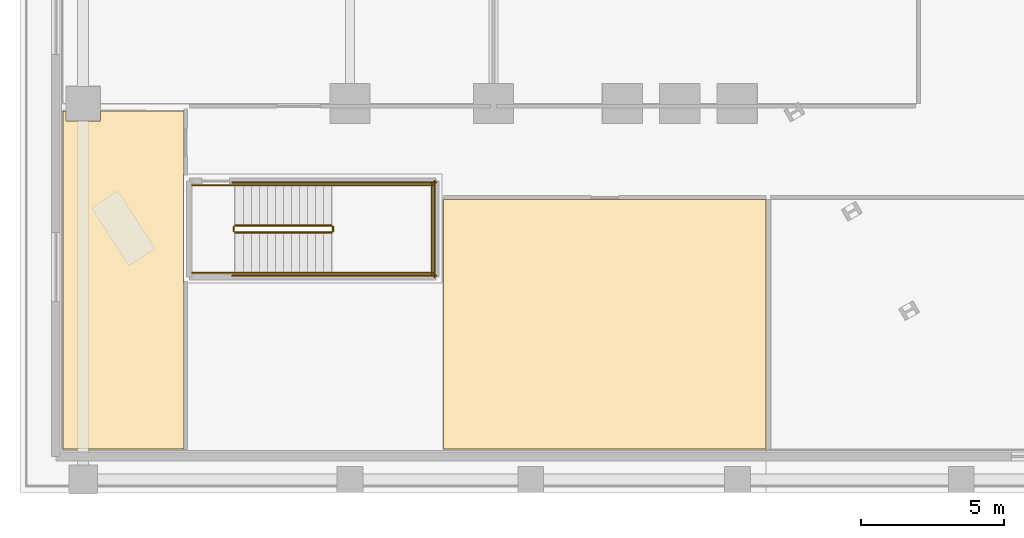
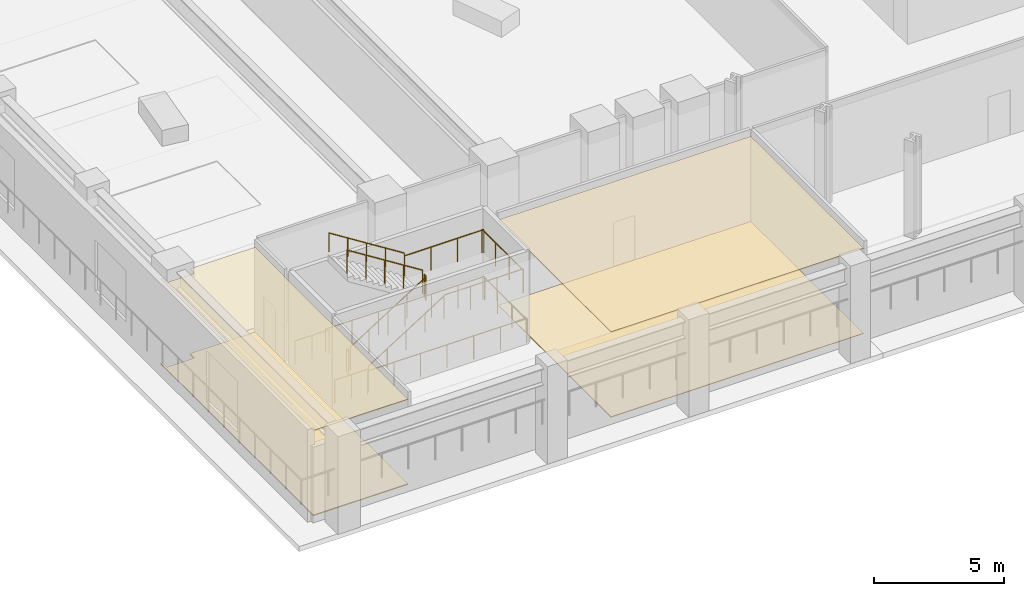
# One storey, part 9 of 18: 14 railings, 4 coverings.
"""IFC4 building model written with IfcOpenShell, lengths in metres."""

from ifc_helpers import new_model, si_unit, direction, frame, origin, origin_2d, place, context, subcontext, project, spatial, polyline, circle, outline, extrude, material, layer, layer_set, type_object, element, save


model = new_model("IFC4")

# Units and contexts
model_context = context("Model", 3, precision=1e-05, world=origin(), true_north=direction((0.0, 1.0)))
body_context = subcontext(model_context, "Body", "Model", "MODEL_VIEW")
ifc_project = project(units=[si_unit("LENGTHUNIT", "METRE"), si_unit("AREAUNIT", "SQUARE_METRE"), si_unit("VOLUMEUNIT", "CUBIC_METRE"), si_unit("PLANEANGLEUNIT", "RADIAN"), si_unit("MASSUNIT", "GRAM", prefix="KILO")], contexts=[model_context])

# Site, building, storey
site_placement = place(None, origin())
site = spatial("IfcSite", under=ifc_project, at=site_placement, CompositionType="ELEMENT")
building_placement = place(site_placement, origin())
building = spatial("IfcBuilding", under=site, at=building_placement, Name="Valkerne Bourse Tower", CompositionType="ELEMENT")
storey_placement = place(building_placement, frame((0.0, 0.0, 10.199951171875)))
storey = spatial("IfcBuildingStorey", under=building, at=storey_placement, Name="L02", CompositionType="ELEMENT", Elevation=10.199951171875)

# Coverings
ifc_material_1 = material(Name="Mineral Fiber Acoustic Ceiling Tile", Category="acoustic")
ifc_layer_1 = layer(ifc_material_1, 0.02490234375)
ifc_layer_set_1 = layer_set([ifc_layer_1], Name="Mineral Fiber Acoustic Ceiling Tile")
covering_type_1 = type_object("IfcCoveringType", Name="COV-CEIL-ACT", PredefinedType="CEILING", material=ifc_layer_set_1)
covering_1_placement = place(storey_placement, frame((0.0, 0.0, 4.010009765625)))
element("IfcCovering", 1, at=covering_1_placement, inside=storey, type_object=covering_type_1, Name="L02 Suspended Ceiling 01", PredefinedType="CEILING", context=body_context, shape_type="SweptSolid", body=[
    extrude(outline(polyline([(1.50390625, 13.2958984375), (1.595947265625, 13.2958984375), (1.595947265625, 12.946044921875), (2.803955078125, 12.946044921875), (2.803955078125, 13.2958984375), (5.716064453125, 13.2958984375), (5.716064453125, 11.10009765625), (5.699951171875, 11.10009765625), (5.699951171875, 7.300048828125), (5.716064453125, 7.300048828125), (5.716064453125, 1.50390625), (1.50390625, 1.50390625), (1.50390625, 13.2958984375)])), origin(), (0.0, 0.0, 1.0), 0.025146484375),
])
covering_2_placement = place(storey_placement, frame((0.0, 0.0, 4.010009765625)))
element("IfcCovering", 2, at=covering_2_placement, inside=storey, type_object=covering_type_1, Name="L02 Suspended Ceiling 02", PredefinedType="CEILING", context=body_context, shape_type="SweptSolid", body=[
    extrude(outline(polyline([(14.75390625, 10.196044921875), (25.99609375, 10.196044921875), (25.99609375, 1.50390625), (14.75390625, 1.50390625), (14.75390625, 10.196044921875)])), origin(), (0.0, 0.0, 1.0), 0.025146484375),
])
ifc_material_2 = material(Name="Galvanised Painted Steel", Category="steel")
ifc_layer_2 = layer(ifc_material_2, 0.044921875)
ifc_layer_set_2 = layer_set([ifc_layer_2], Name="Galvanised Painted Steel")
covering_type_2 = type_object("IfcCoveringType", Name="COV-FLR-RAF", PredefinedType="FLOORING", material=ifc_layer_set_2)
covering_3_placement = place(storey_placement, origin())
element("IfcCovering", 3, at=covering_3_placement, inside=storey, type_object=covering_type_2, Name="L02 Floor Finish 01", PredefinedType="FLOORING", context=body_context, shape_type="SweptSolid", body=[
    extrude(outline(polyline([(1.50390625, 13.2958984375), (1.595947265625, 13.2958984375), (1.595947265625, 12.946044921875), (2.803955078125, 12.946044921875), (2.803955078125, 13.2958984375), (5.716064453125, 13.2958984375), (5.716064453125, 11.10009765625), (5.699951171875, 11.10009765625), (5.699951171875, 7.300048828125), (5.716064453125, 7.300048828125), (5.716064453125, 1.50390625), (1.50390625, 1.50390625), (1.50390625, 13.2958984375)])), origin(), (0.0, 0.0, 1.0), 0.045166015625),
])
ifc_material_3 = material(Name="Polished Granite Stone", Category="masonry")
ifc_layer_3 = layer(ifc_material_3, 0.030029296875)
ifc_layer_set_3 = layer_set([ifc_layer_3], Name="Polished Granite Stone")
covering_type_3 = type_object("IfcCoveringType", Name="COV-FLR-TERRAZZO", PredefinedType="FLOORING", material=ifc_layer_set_3)
covering_4_placement = place(storey_placement, origin())
element("IfcCovering", 4, at=covering_4_placement, inside=storey, type_object=covering_type_3, Name="L02 Floor Finish 02", PredefinedType="FLOORING", context=body_context, shape_type="SweptSolid", body=[
    extrude(outline(polyline([(14.75390625, 10.196044921875), (25.99609375, 10.196044921875), (25.99609375, 1.50390625), (14.75390625, 1.50390625), (14.75390625, 10.196044921875)])), origin(), (0.0, 0.0, 1.0), 0.030029296875),
])

# Railings
railing_type_1 = type_object("IfcRailingType", Name="RLG-ST-GUARD-1120", PredefinedType="GUARDRAIL", material=ifc_material_2)
railing_1_placement = place(storey_placement, frame((7.5, 9.050048828125, 0.177001953125)))
element("IfcRailing", 5, at=railing_1_placement, inside=storey, type_object=railing_type_1, Name="L02 ST-P1 stair guard 1", PredefinedType="GUARDRAIL", context=body_context, shape_type="SweptSolid", body=[
    extrude(circle(Radius=0.02392578125, at=origin_2d()), frame((0.0, 0.0, 1.09619140625), z_axis=(0.845389635667, 0.0, 0.534150132366), x_axis=(0.0, 1.0, 0.0)), (0.0, 0.0, 1.0), 3.974609375),
    extrude(circle(Radius=0.02099609375, at=origin_2d()), origin(), (0.0, 0.0, 1.0), 1.072021484375),
    extrude(circle(Radius=0.02099609375, at=origin_2d()), frame((0.840087890625, 0.0, 0.53076171875)), (0.0, 0.0, 1.0), 1.072021484375),
    extrude(circle(Radius=0.02099609375, at=origin_2d()), frame((1.68017578125, 0.0, 1.0615234375)), (0.0, 0.0, 1.0), 1.072021484375),
    extrude(circle(Radius=0.02099609375, at=origin_2d()), frame((2.52001953125, 0.0, 1.59228515625)), (0.0, 0.0, 1.0), 1.072021484375),
    extrude(circle(Radius=0.02099609375, at=origin_2d()), frame((3.360107421875, 0.0, 2.123046875)), (0.0, 0.0, 1.0), 1.072021484375),
])
railing_2_placement = place(storey_placement, frame((10.909912109375, 9.10009765625, 2.300048828125)))
element("IfcRailing", 6, at=railing_2_placement, inside=storey, type_object=railing_type_1, Name="L02 ST-P1 stair guard 2", PredefinedType="GUARDRAIL", context=body_context, shape_type="SweptSolid", body=[
    extrude(circle(Radius=0.02392578125, at=origin_2d()), frame((0.0, 0.0, 1.09619140625), z_axis=(0.0, 1.0, 0.0), x_axis=(-1.0, 0.0, 0.0)), (0.0, 0.0, 1.0), 0.14990234375),
    extrude(circle(Radius=0.02099609375, at=origin_2d()), origin(), (0.0, 0.0, 1.0), 1.072021484375),
    extrude(circle(Radius=0.02099609375, at=origin_2d()), frame((0.0, 0.14990234375, 0.0)), (0.0, 0.0, 1.0), 1.072021484375),
])
for number, where, name in (
    (7, (10.860107421875, 7.64990234375, 2.300048828125), "L02 ST-P1 stair guard 3"),
    (8, (10.860107421875, 10.699951171875, 2.300048828125), "L02 ST-P1 stair guard 4"),
):
    element("IfcRailing", number, at=place(storey_placement, frame(where)), inside=storey, type_object=railing_type_1, Name=name, PredefinedType="GUARDRAIL", context=body_context, shape_type="SweptSolid", body=[
        extrude(circle(Radius=0.02392578125, at=origin_2d()), frame((0.0, 0.0, 1.09619140625), z_axis=(1.0, 0.0, 0.0), x_axis=(0.0, 1.0, 0.0)), (0.0, 0.0, 1.0), 3.539794921875),
        extrude(circle(Radius=0.02099609375, at=origin_2d()), origin(), (0.0, 0.0, 1.0), 1.072021484375),
        extrude(circle(Radius=0.02099609375, at=origin_2d()), frame((1.179931640625, 0.0, 0.0)), (0.0, 0.0, 1.0), 1.072021484375),
        extrude(circle(Radius=0.02099609375, at=origin_2d()), frame((2.35986328125, 0.0, 0.0)), (0.0, 0.0, 1.0), 1.072021484375),
        extrude(circle(Radius=0.02099609375, at=origin_2d()), frame((3.539794921875, 0.0, 0.0)), (0.0, 0.0, 1.0), 1.072021484375),
    ])
railing_3_placement = place(storey_placement, frame((14.35009765625, 7.60009765625, 2.300048828125)))
element("IfcRailing", 9, at=railing_3_placement, inside=storey, type_object=railing_type_1, Name="L02 ST-P1 stair guard 5", PredefinedType="GUARDRAIL", context=body_context, shape_type="SweptSolid", body=[
    extrude(circle(Radius=0.02392578125, at=origin_2d()), frame((0.0, 0.0, 1.09619140625), z_axis=(0.0, 1.0, 0.0), x_axis=(-1.0, 0.0, 0.0)), (0.0, 0.0, 1.0), 3.14990234375),
    extrude(circle(Radius=0.02099609375, at=origin_2d()), origin(), (0.0, 0.0, 1.0), 1.072021484375),
    extrude(circle(Radius=0.02099609375, at=origin_2d()), frame((0.0, 1.050048828125, 0.0)), (0.0, 0.0, 1.0), 1.072021484375),
    extrude(circle(Radius=0.02099609375, at=origin_2d()), frame((0.0, 2.099853515625, 0.0)), (0.0, 0.0, 1.0), 1.072021484375),
    extrude(circle(Radius=0.02099609375, at=origin_2d()), frame((0.0, 3.14990234375, 0.0)), (0.0, 0.0, 1.0), 1.072021484375),
])
railing_4_placement = place(storey_placement, frame((10.860107421875, 9.300048828125, 2.47705078125)))
element("IfcRailing", 10, at=railing_4_placement, inside=storey, type_object=railing_type_1, Name="L02 ST-P1 stair guard 6", PredefinedType="GUARDRAIL", context=body_context, shape_type="SweptSolid", body=[
    extrude(circle(Radius=0.02392578125, at=origin_2d()), frame((0.0, 0.0, 1.09619140625), z_axis=(-0.845389635667, 0.0, 0.534150132366), x_axis=(0.0, -1.0, 0.0)), (0.0, 0.0, 1.0), 3.974609375),
    extrude(circle(Radius=0.02099609375, at=origin_2d()), origin(), (0.0, 0.0, 1.0), 1.072021484375),
    extrude(circle(Radius=0.02099609375, at=origin_2d()), frame((-0.840087890625, 0.0, 0.53076171875)), (0.0, 0.0, 1.0), 1.072021484375),
    extrude(circle(Radius=0.02099609375, at=origin_2d()), frame((-1.68017578125, 0.0, 1.0615234375)), (0.0, 0.0, 1.0), 1.072021484375),
    extrude(circle(Radius=0.02099609375, at=origin_2d()), frame((-2.52001953125, 0.0, 1.59228515625)), (0.0, 0.0, 1.0), 1.072021484375),
    extrude(circle(Radius=0.02099609375, at=origin_2d()), frame((-3.360107421875, 0.0, 2.123046875)), (0.0, 0.0, 1.0), 1.072021484375),
])
railing_5_placement = place(storey_placement, frame((7.449951171875, 9.10009765625, 0.0)))
element("IfcRailing", 11, at=railing_5_placement, inside=storey, type_object=railing_type_1, Name="L02 ST-P1 stair guard 7", PredefinedType="GUARDRAIL", context=body_context, shape_type="SweptSolid", body=[
    extrude(circle(Radius=0.02392578125, at=origin_2d()), frame((0.0, 0.0, 1.09619140625), z_axis=(0.0, 1.0, 0.0), x_axis=(-1.0, 0.0, 0.0)), (0.0, 0.0, 1.0), 0.14990234375),
    extrude(circle(Radius=0.02099609375, at=origin_2d()), origin(), (0.0, 0.0, 1.0), 1.072021484375),
    extrude(circle(Radius=0.02099609375, at=origin_2d()), frame((0.0, 0.14990234375, 0.0)), (0.0, 0.0, 1.0), 1.072021484375),
])
for number, where, name in (
    (12, (6.0, 7.64990234375, 0.0), "L02 ST-P1 stair guard 8"),
    (13, (6.0, 10.699951171875, 0.0), "L02 ST-P1 stair guard 9"),
):
    element("IfcRailing", number, at=place(storey_placement, frame(where)), inside=storey, type_object=railing_type_1, Name=name, PredefinedType="GUARDRAIL", context=body_context, shape_type="SweptSolid", body=[
        extrude(circle(Radius=0.02392578125, at=origin_2d()), frame((0.0, 0.0, 1.09619140625), z_axis=(1.0, 0.0, 0.0), x_axis=(0.0, 1.0, 0.0)), (0.0, 0.0, 1.0), 1.5),
        extrude(circle(Radius=0.02099609375, at=origin_2d()), origin(), (0.0, 0.0, 1.0), 1.072021484375),
        extrude(circle(Radius=0.02099609375, at=origin_2d()), frame((0.75, 0.0, 0.0)), (0.0, 0.0, 1.0), 1.072021484375),
        extrude(circle(Radius=0.02099609375, at=origin_2d()), frame((1.5, 0.0, 0.0)), (0.0, 0.0, 1.0), 1.072021484375),
    ])
for number, where, name in (
    (14, (7.39990234375, 7.550048828125, 0.0), "L02 ST-P1 stair guard 10"),
    (15, (7.39990234375, 10.800048828125, 0.0), "L02 ST-P1 stair guard 11"),
):
    element("IfcRailing", number, at=place(storey_placement, frame(where)), inside=storey, type_object=railing_type_1, Name=name, PredefinedType="GUARDRAIL", context=body_context, shape_type="SweptSolid", body=[
        extrude(circle(Radius=0.02392578125, at=origin_2d()), frame((0.0, 0.0, 1.09619140625), z_axis=(1.0, 0.0, 0.0), x_axis=(0.0, 1.0, 0.0)), (0.0, 0.0, 1.0), 7.10009765625),
        extrude(circle(Radius=0.02099609375, at=origin_2d()), origin(), (0.0, 0.0, 1.0), 1.072021484375),
        extrude(circle(Radius=0.02099609375, at=origin_2d()), frame((1.183349609375, 0.0, 0.0)), (0.0, 0.0, 1.0), 1.072021484375),
        extrude(circle(Radius=0.02099609375, at=origin_2d()), frame((2.36669921875, 0.0, 0.0)), (0.0, 0.0, 1.0), 1.072021484375),
        extrude(circle(Radius=0.02099609375, at=origin_2d()), frame((3.550048828125, 0.0, 0.0)), (0.0, 0.0, 1.0), 1.072021484375),
        extrude(circle(Radius=0.02099609375, at=origin_2d()), frame((4.7333984375, 0.0, 0.0)), (0.0, 0.0, 1.0), 1.072021484375),
        extrude(circle(Radius=0.02099609375, at=origin_2d()), frame((5.916748046875, 0.0, 0.0)), (0.0, 0.0, 1.0), 1.072021484375),
        extrude(circle(Radius=0.02099609375, at=origin_2d()), frame((7.10009765625, 0.0, 0.0)), (0.0, 0.0, 1.0), 1.072021484375),
    ])
railing_6_placement = place(storey_placement, frame((14.449951171875, 7.5, 0.0)))
element("IfcRailing", 16, at=railing_6_placement, inside=storey, type_object=railing_type_1, Name="L02 ST-P1 stair guard 12", PredefinedType="GUARDRAIL", context=body_context, shape_type="SweptSolid", body=[
    extrude(circle(Radius=0.02392578125, at=origin_2d()), frame((0.0, 0.0, 1.09619140625), z_axis=(0.0, 1.0, 0.0), x_axis=(-1.0, 0.0, 0.0)), (0.0, 0.0, 1.0), 3.35009765625),
    extrude(circle(Radius=0.02099609375, at=origin_2d()), origin(), (0.0, 0.0, 1.0), 1.072021484375),
    extrude(circle(Radius=0.02099609375, at=origin_2d()), frame((0.0, 1.11669921875, 0.0)), (0.0, 0.0, 1.0), 1.072021484375),
    extrude(circle(Radius=0.02099609375, at=origin_2d()), frame((0.0, 2.2333984375, 0.0)), (0.0, 0.0, 1.0), 1.072021484375),
    extrude(circle(Radius=0.02099609375, at=origin_2d()), frame((0.0, 3.35009765625, 0.0)), (0.0, 0.0, 1.0), 1.072021484375),
])
ifc_material_4 = material(Name="Stainless Steel AISI 316", Category="steel")
railing_type_2 = type_object("IfcRailingType", Name="RLG-ST-HANDRAIL-900", PredefinedType="HANDRAIL", material=ifc_material_4)
railing_7_placement = place(storey_placement, frame((7.5, 7.64990234375, 0.35400390625)))
element("IfcRailing", 17, at=railing_7_placement, inside=storey, type_object=railing_type_2, Name="L02 ST-P1 stair handrail 1", PredefinedType="HANDRAIL", context=body_context, shape_type="SweptSolid", body=[
    extrude(circle(Radius=0.02392578125, at=origin_2d()), frame((0.0, 0.0, 0.8759765625), z_axis=(0.845389635667, 0.0, 0.534150132366), x_axis=(0.0, 1.0, 0.0)), (0.0, 0.0, 1.0), 3.974609375),
    extrude(circle(Radius=0.02099609375, at=origin_2d()), origin(), (0.0, 0.0, 1.0), 0.851806640625),
    extrude(circle(Radius=0.02099609375, at=origin_2d()), frame((0.840087890625, 0.0, 0.53076171875)), (0.0, 0.0, 1.0), 0.851806640625),
    extrude(circle(Radius=0.02099609375, at=origin_2d()), frame((1.68017578125, 0.0, 1.0615234375)), (0.0, 0.0, 1.0), 0.851806640625),
    extrude(circle(Radius=0.02099609375, at=origin_2d()), frame((2.52001953125, 0.0, 1.59228515625)), (0.0, 0.0, 1.0), 0.851806640625),
    extrude(circle(Radius=0.02099609375, at=origin_2d()), frame((3.360107421875, 0.0, 2.123046875)), (0.0, 0.0, 1.0), 0.851806640625),
])
railing_8_placement = place(storey_placement, frame((10.860107421875, 10.699951171875, 2.65380859375)))
element("IfcRailing", 18, at=railing_8_placement, inside=storey, type_object=railing_type_2, Name="L02 ST-P1 stair handrail 2", PredefinedType="HANDRAIL", context=body_context, shape_type="SweptSolid", body=[
    extrude(circle(Radius=0.02392578125, at=origin_2d()), frame((0.0, 0.0, 0.8759765625), z_axis=(-0.845389635667, 0.0, 0.534150132366), x_axis=(0.0, -1.0, 0.0)), (0.0, 0.0, 1.0), 3.974609375),
    extrude(circle(Radius=0.02099609375, at=origin_2d()), origin(), (0.0, 0.0, 1.0), 0.851806640625),
    extrude(circle(Radius=0.02099609375, at=origin_2d()), frame((-0.840087890625, 0.0, 0.53076171875)), (0.0, 0.0, 1.0), 0.851806640625),
    extrude(circle(Radius=0.02099609375, at=origin_2d()), frame((-1.68017578125, 0.0, 1.0615234375)), (0.0, 0.0, 1.0), 0.851806640625),
    extrude(circle(Radius=0.02099609375, at=origin_2d()), frame((-2.52001953125, 0.0, 1.59228515625)), (0.0, 0.0, 1.0), 0.851806640625),
    extrude(circle(Radius=0.02099609375, at=origin_2d()), frame((-3.360107421875, 0.0, 2.123046875)), (0.0, 0.0, 1.0), 0.851806640625),
])

save(model, "model.ifc")
